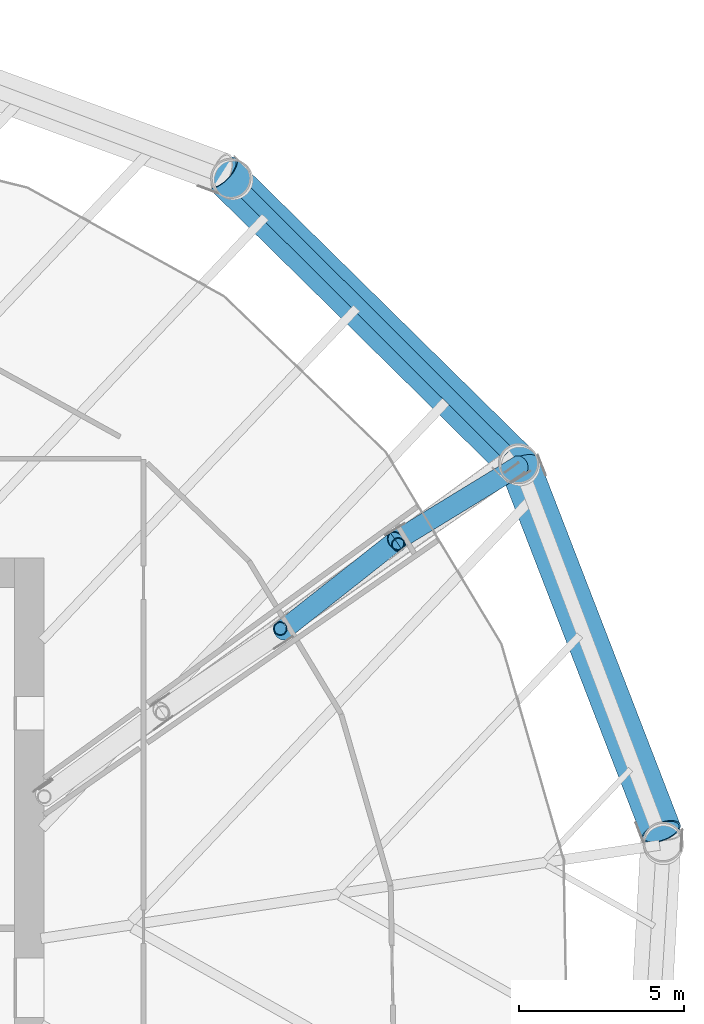
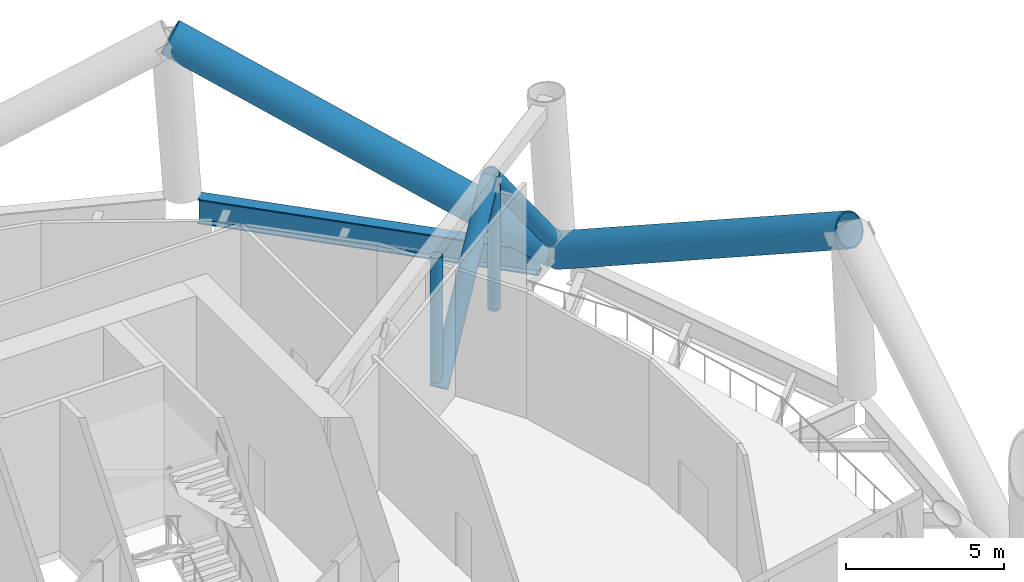
# One storey, part 12 of 39: 6 members, 1 beam.
"""IFC4 building model written with IfcOpenShell, lengths in metres."""

from ifc_helpers import new_model, si_unit, direction, frame, origin, origin_2d, place, context, subcontext, project, spatial, hollow_circle, i_section, extrude, material, material_profile, profile_set, type_object, element, save


model = new_model("IFC4")

# Units and contexts
model_context = context("Model", 3, precision=1e-05, world=origin(), true_north=direction((0.0, 1.0)))
body_context = subcontext(model_context, "Body", "Model", "MODEL_VIEW")
ifc_project = project(units=[si_unit("LENGTHUNIT", "METRE"), si_unit("AREAUNIT", "SQUARE_METRE"), si_unit("VOLUMEUNIT", "CUBIC_METRE"), si_unit("PLANEANGLEUNIT", "RADIAN"), si_unit("MASSUNIT", "GRAM", prefix="KILO")], contexts=[model_context])

# Site, building, storey
site_placement = place(None, origin())
site = spatial("IfcSite", under=ifc_project, at=site_placement, CompositionType="ELEMENT")
building_placement = place(site_placement, origin())
building = spatial("IfcBuilding", under=site, at=building_placement, Name="Tarsis Ring Headquarters", CompositionType="ELEMENT")
storey_placement = place(building_placement, frame((0.0, 0.0, 86.800048828125)))
storey = spatial("IfcBuildingStorey", under=building, at=storey_placement, Name="L19", CompositionType="ELEMENT", Elevation=86.800048828125)

# Members
ifc_material_1 = material(Name="Structural steel S355", Category="steel")
ifc_material_profile_1 = material_profile(ifc_material_1, hollow_circle(Radius=0.3046875, WallThickness=0.02490234375, at=origin_2d()), Name="CHS 610x25")
ifc_profile_set_1 = profile_set([ifc_material_profile_1], Name="Structural steel S355")
member_type_1 = type_object("IfcMemberType", Name="OD Outrigger diagonal CHS 610x25", PredefinedType="BRACE", material=ifc_profile_set_1)
member_1_placement = place(storey_placement, frame((17.187255859375, 10.79248046875, 0.25390625), z_axis=(0.499080372758, 0.39436040781, 0.771620794354), x_axis=(-0.619982803256, 0.784615398566, 0.0)))
element("IfcMember", 1, at=member_1_placement, inside=storey, type_object=member_type_1, Name="Outrigger diagonal OD1", PredefinedType="BRACE", context=body_context, shape_type="SweptSolid", body=[
    extrude(hollow_circle(Radius=0.3046875, WallThickness=0.02490234375, at=origin_2d()), origin(), (0.0, 0.0, 1.0), 6.91015625),
])
member_2_placement = place(storey_placement, frame((20.635986328125, 13.517578125, 5.5859375), z_axis=(0.541700842532, 0.331027611257, -0.772645402358), x_axis=(-0.521436484661, 0.853290098656, 0.0)))
element("IfcMember", 2, at=member_2_placement, inside=storey, type_object=member_type_1, Name="Outrigger diagonal OD1", PredefinedType="BRACE", context=body_context, shape_type="SweptSolid", body=[
    extrude(hollow_circle(Radius=0.3046875, WallThickness=0.02490234375, at=origin_2d()), origin(), (0.0, 0.0, 1.0), 6.901123046875),
])
ifc_material_profile_2 = material_profile(ifc_material_1, hollow_circle(Radius=0.203125, WallThickness=0.01611328125, at=origin_2d()), Name="CHS 406x16")
ifc_profile_set_2 = profile_set([ifc_material_profile_2], Name="Structural steel S355")
member_type_2 = type_object("IfcMemberType", Name="OV Outrigger post CHS 406x16", PredefinedType="STRUT", material=ifc_profile_set_2)
for number, where, z_axis, x_axis, name in (
    (3, (17.138916015625, 10.865966796875, 0.508056640625), (0.0, 0.0, 1.0), (1.0, 0.0, 0.0), "Outrigger post OV1"),
    (4, (20.708251953125, 13.407470703125, 0.508056640625), (0.0, 0.0, 1.0), (1.0, 0.0, 0.0), "Outrigger post OV1"),
):
    element("IfcMember", number, at=place(storey_placement, frame(where, z_axis=z_axis, x_axis=x_axis)), inside=storey, type_object=member_type_2, Name=name, PredefinedType="STRUT", context=body_context, shape_type="SweptSolid", body=[
        extrude(hollow_circle(Radius=0.203125, WallThickness=0.01611328125, at=origin_2d()), origin(), (0.0, 0.0, 1.0), 4.823974609375),
    ])
ifc_material_2 = material(Name="Structural steel S460", Category="steel")
ifc_material_profile_3 = material_profile(ifc_material_2, hollow_circle(Radius=0.609619140625, WallThickness=0.050048828125, at=origin_2d()), Name="CHS 1219x50")
ifc_profile_set_3 = profile_set([ifc_material_profile_3], Name="Structural steel S460")
member_type_3 = type_object("IfcMemberType", Name="TD Belt truss diagonal CHS 1219x50", PredefinedType="BRACE", material=ifc_profile_set_3)
member_3_placement = place(storey_placement, frame((24.383544921875, 15.7880859375, 0.0), z_axis=(0.321842065099, -0.832282404936, 0.451357600541), x_axis=(0.932693207724, 0.360670736636, 0.0)))
element("IfcMember", 5, at=member_3_placement, inside=storey, type_object=member_type_3, Name="Belt truss diagonal TD1", PredefinedType="BRACE", context=body_context, shape_type="SweptSolid", body=[
    extrude(hollow_circle(Radius=0.609619140625, WallThickness=0.050048828125, at=origin_2d()), origin(), (0.0, 0.0, 1.0), 13.293212890625),
])
member_4_placement = place(storey_placement, frame((24.383544921875, 15.7880859375, 0.0), z_axis=(-0.644117502392, 0.633330720383, 0.428957855426), x_axis=(-0.701110971823, -0.713052175643, 0.0)))
element("IfcMember", 6, at=member_4_placement, inside=storey, type_object=member_type_3, Name="Belt truss diagonal TD1", PredefinedType="BRACE", context=body_context, shape_type="SweptSolid", body=[
    extrude(hollow_circle(Radius=0.609619140625, WallThickness=0.050048828125, at=origin_2d()), origin(), (0.0, 0.0, 1.0), 13.9873046875),
])

# Beam
ifc_material_profile_4 = material_profile(ifc_material_1, i_section(OverallWidth=0.42431640625, OverallDepth=0.947509765625, WebThickness=0.02392578125, FlangeThickness=0.042724609375, at=origin_2d()), Name="W36x302")
ifc_profile_set_4 = profile_set([ifc_material_profile_4], Name="Structural steel S355")
beam_type = type_object("IfcBeamType", Name="XG Ring girder W36x302", PredefinedType="BEAM", material=ifc_profile_set_4)
beam_placement = place(storey_placement, frame((23.994873046875, 16.17529296875, -0.4736328125), z_axis=(-0.708255221081, 0.705956473029, 0.0), x_axis=(-0.705956473029, -0.708255221081, 0.0)))
element("IfcBeam", 7, at=beam_placement, inside=storey, type_object=beam_type, Name="Ring girder XG1", PredefinedType="BEAM", context=body_context, shape_type="SweptSolid", body=[
    extrude(i_section(OverallWidth=0.42431640625, OverallDepth=0.947509765625, WebThickness=0.02392578125, FlangeThickness=0.042724609375, at=origin_2d()), origin(), (0.0, 0.0, 1.0), 11.151611328125),
])

save(model, "model.ifc")
